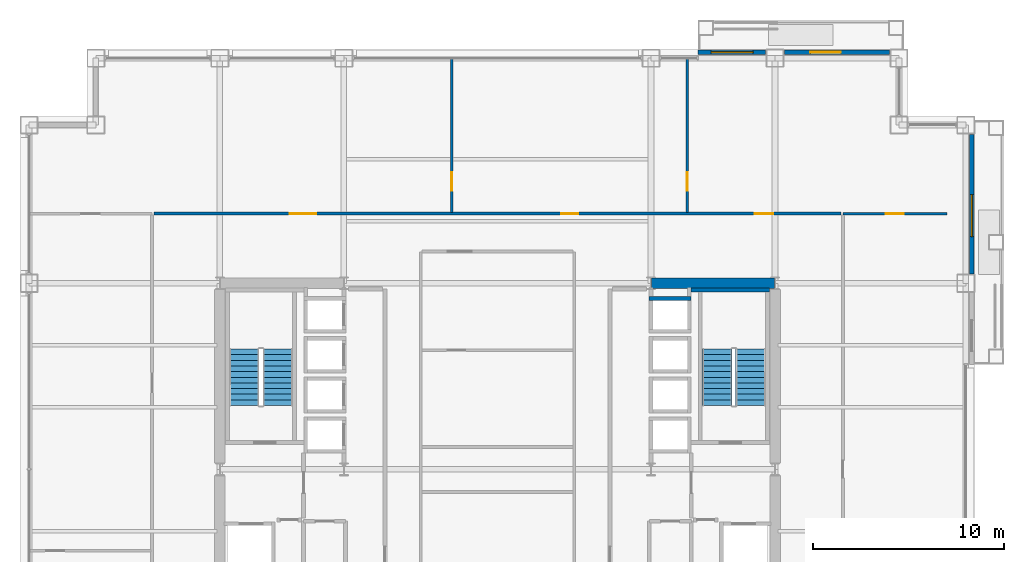
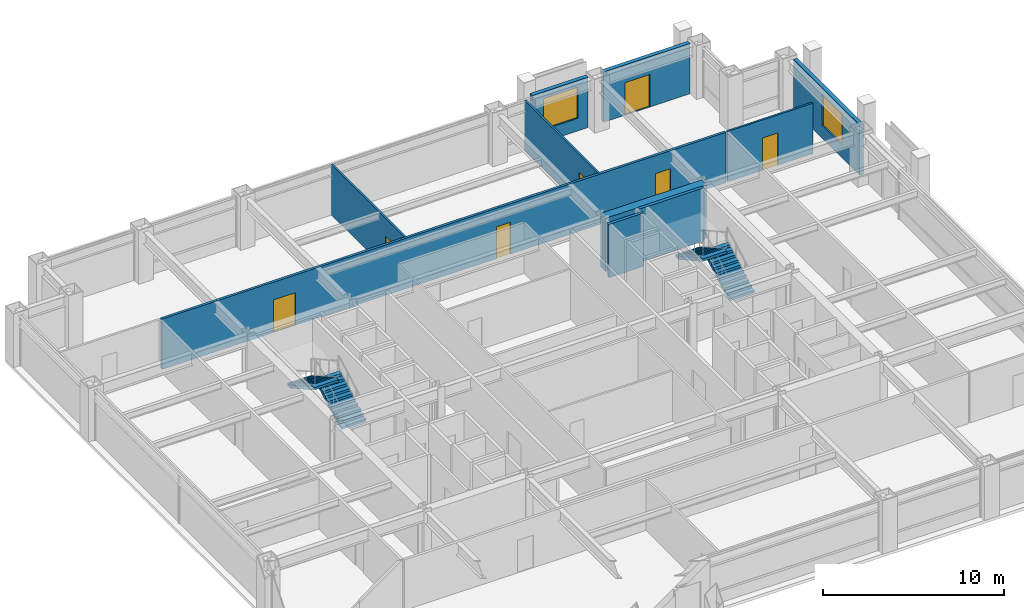
# One storey, part 28 of 31: 10 walls, 7 doors, 4 stair flights, 2 windows, 9 openings, 2 elements without a shape of their own.
"""IFC4 building model written with IfcOpenShell, lengths in metres."""

from ifc_helpers import new_model, si_unit, direction, frame, frame_2d, origin, place, context, subcontext, project, spatial, polyline, rectangle, outline, extrude, material, layer, layer_set, type_object, element, fill, aggregate, save


model = new_model("IFC4")

# Units and contexts
model_context = context("Model", 3, precision=1e-05, world=origin(), true_north=direction((0.0, 1.0)))
body_context = subcontext(model_context, "Body", "Model", "MODEL_VIEW")
ifc_project = project(units=[si_unit("LENGTHUNIT", "METRE"), si_unit("AREAUNIT", "SQUARE_METRE"), si_unit("VOLUMEUNIT", "CUBIC_METRE"), si_unit("PLANEANGLEUNIT", "RADIAN"), si_unit("MASSUNIT", "GRAM", prefix="KILO")], contexts=[model_context])

# Site, building, storey
site_placement = place(None, origin())
site = spatial("IfcSite", under=ifc_project, at=site_placement, CompositionType="ELEMENT")
building_placement = place(site_placement, origin())
building = spatial("IfcBuilding", under=site, at=building_placement, Name="Brelmoor Portico Tower", CompositionType="ELEMENT")
storey_placement = place(building_placement, frame((0.0, 0.0, 38.39990234375)))
storey = spatial("IfcBuildingStorey", under=building, at=storey_placement, Name="L09", CompositionType="ELEMENT", Elevation=38.39990234375)

# Wall
ifc_material_1 = material(Name="Concrete C60", Category="concrete")
ifc_layer_1 = layer(ifc_material_1, 0.550048828125)
ifc_layer_set_1 = layer_set([ifc_layer_1], Name="Concrete C60")
wall_type_1 = type_object("IfcWallType", Name="WL-CORE-550", PredefinedType="SHEAR", material=ifc_layer_set_1)
wall_1_placement = place(storey_placement, frame((8.070068359375, 9.75, -0.199951171875), z_axis=(0.0, 0.0, 1.0), x_axis=(1.0, 0.0, 0.0)))
element("IfcWall", 1, at=wall_1_placement, inside=storey, type_object=wall_type_1, Name="L09 EC North Shear Wall", PredefinedType="SHEAR", context=body_context, shape_type="SweptSolid", body=[
    extrude(rectangle(XDim=6.4599609375, YDim=0.550048828125, at=frame_2d((3.22998046875, 0.0))), origin(), (0.0, 0.0, 1.0), 3.60009765625),
])

# Wall, opening, window
ifc_material_2 = material(Name="Precast Concrete C40 Insulated Facade Wall", Category="concrete")
ifc_layer_2 = layer(ifc_material_2, 0.25)
ifc_layer_set_2 = layer_set([ifc_layer_2], Name="Precast Concrete C40 Insulated Facade Wall")
wall_type_2 = type_object("IfcWallType", Name="WL-EXT-250", PredefinedType="STANDARD", material=ifc_layer_set_2)
wall_2_placement = place(storey_placement, frame((10.5, 21.860107421875, 0.0), z_axis=(0.0, 0.0, 1.0), x_axis=(1.0, 0.0, 0.0)))
wall_2 = element("IfcWall", 2, at=wall_2_placement, inside=storey, type_object=wall_type_2, Name="L09 Loggia Threshold Wall N-1", PredefinedType="STANDARD", context=body_context, shape_type="SweptSolid", body=[
    extrude(rectangle(XDim=3.554931640625, YDim=0.25, at=frame_2d((1.77734375, 0.0))), origin(), (0.0, 0.0, 1.0), 3.400146484375),
])
opening_1_placement = place(wall_2_placement, frame((0.699951171875, 0.0, 0.85009765625)))
opening_1 = element("IfcOpeningElement", 3, at=opening_1_placement, cuts=wall_2, Name="Opening W-03B", PredefinedType="OPENING", context=body_context, shape_type="SweptSolid", body=[
    extrude(rectangle(XDim=2.199951171875, YDim=2.10009765625, at=frame_2d((1.10009765625, 1.050048828125))), frame((0.0, 0.135009765625, 0.0), z_axis=(0.0, -1.0, 0.0), x_axis=(1.0, 0.0, 0.0)), (0.0, 0.0, 1.0), 0.27001953125),
])
ifc_material_3 = material(Name="Thermally Broken Aluminium Low-E Window", Category="aluminium")
window_type = type_object("IfcWindowType", Name="WN-LOGGIA-2200x2100", PartitioningType="SINGLE_PANEL", PredefinedType="WINDOW", material=ifc_material_3)
window_1_placement = place(opening_1_placement, origin())
window_1 = element("IfcWindow", 4, at=window_1_placement, inside=storey, type_object=window_type, Name="L09 Loggia Window N", OverallHeight=2.10009765625, OverallWidth=2.199951171875, PartitioningType="SINGLE_PANEL", PredefinedType="WINDOW", context=body_context, shape_type="SweptSolid", body=[
    extrude(rectangle(XDim=2.199951171875, YDim=2.10009765625, at=frame_2d((1.10009765625, 1.050048828125))), frame((0.0, 0.030029296875, 0.0), z_axis=(0.0, -1.0, 0.0), x_axis=(1.0, 0.0, 0.0)), (0.0, 0.0, 1.0), 0.06005859375),
])
fill(opening_1, window_1)

# Wall, opening, door
wall_3_placement = place(storey_placement, frame((15.044921875, 21.860107421875, 0.0), z_axis=(0.0, 0.0, 1.0), x_axis=(1.0, 0.0, 0.0)))
wall_3 = element("IfcWall", 5, at=wall_3_placement, inside=storey, type_object=wall_type_2, Name="L09 Loggia Threshold Wall N-2", PredefinedType="STANDARD", context=body_context, shape_type="SweptSolid", body=[
    extrude(rectangle(XDim=5.510009765625, YDim=0.25, at=frame_2d((2.7548828125, 0.0))), origin(), (0.0, 0.0, 1.0), 3.400146484375),
])
opening_2_placement = place(wall_3_placement, frame((1.35498046875, 0.0, 0.0)))
opening_2 = element("IfcOpeningElement", 6, at=opening_2_placement, cuts=wall_3, Name="Opening D-TB1", PredefinedType="OPENING", context=body_context, shape_type="SweptSolid", body=[
    extrude(rectangle(XDim=1.60009765625, YDim=2.199951171875, at=frame_2d((0.800048828125, 1.10009765625))), frame((0.0, 0.135009765625, 0.0), z_axis=(0.0, -1.0, 0.0), x_axis=(1.0, 0.0, 0.0)), (0.0, 0.0, 1.0), 0.27001953125),
])
ifc_material_4 = material(Name="Double-Leaf Thermally Broken Terrace Door", Category="aluminium")
door_type_1 = type_object("IfcDoorType", Name="DR-BALCONY-1600", OperationType="NOTDEFINED", PredefinedType="DOOR", material=ifc_material_4)
door_1_placement = place(opening_2_placement, origin())
door_1 = element("IfcDoor", 7, at=door_1_placement, inside=storey, type_object=door_type_1, Name="D-0422 L09 Tree Balcony Double Door N", OperationType="DOUBLE_DOOR_SINGLE_SWING", OverallHeight=2.199951171875, OverallWidth=1.60009765625, PredefinedType="DOOR", context=body_context, shape_type="SweptSolid", body=[
    extrude(rectangle(XDim=1.60009765625, YDim=2.199951171875, at=frame_2d((0.800048828125, 1.10009765625))), frame((0.0, 0.02490234375, 0.0), z_axis=(0.0, -1.0, 0.0), x_axis=(1.0, 0.0, 0.0)), (0.0, 0.0, 1.0), 0.050048828125),
])
fill(opening_2, door_1)

# Wall, opening, window
wall_4_placement = place(storey_placement, frame((24.860107421875, 10.2451171875, 0.0), z_axis=(0.0, 0.0, 1.0), x_axis=(0.0, 1.0, 0.0)))
wall_4 = element("IfcWall", 8, at=wall_4_placement, inside=storey, type_object=wall_type_2, Name="L09 Loggia Threshold Wall E-2", PredefinedType="STANDARD", context=body_context, shape_type="SweptSolid", body=[
    extrude(rectangle(XDim=7.309814453125, YDim=0.25, at=frame_2d((3.65478515625, 0.0))), origin(), (0.0, 0.0, 1.0), 3.400146484375),
])
opening_3_placement = place(wall_4_placement, frame((1.955078125, 0.0, 0.85009765625)))
opening_3 = element("IfcOpeningElement", 9, at=opening_3_placement, cuts=wall_4, Name="Opening W-03B", PredefinedType="OPENING", context=body_context, shape_type="SweptSolid", body=[
    extrude(rectangle(XDim=2.199951171875, YDim=2.10009765625, at=frame_2d((1.10009765625, 1.050048828125))), frame((0.0, 0.135009765625, 0.0), z_axis=(0.0, -1.0, 0.0), x_axis=(1.0, 0.0, 0.0)), (0.0, 0.0, 1.0), 0.27001953125),
])
window_2_placement = place(opening_3_placement, origin())
window_2 = element("IfcWindow", 10, at=window_2_placement, inside=storey, type_object=window_type, Name="L09 Loggia Window E", OverallHeight=2.10009765625, OverallWidth=2.199951171875, PartitioningType="SINGLE_PANEL", PredefinedType="WINDOW", context=body_context, shape_type="SweptSolid", body=[
    extrude(rectangle(XDim=2.199951171875, YDim=2.10009765625, at=frame_2d((1.10009765625, 1.050048828125))), frame((0.0, 0.030029296875, 0.0), z_axis=(0.0, -1.0, 0.0), x_axis=(1.0, 0.0, 0.0)), (0.0, 0.0, 1.0), 0.06005859375),
])
fill(opening_3, window_2)

# Wall, opening, door
ifc_material_5 = material(Name="Lightweight Gypsum Office Partition", Category="gypsum")
ifc_layer_3 = layer(ifc_material_5, 0.1201171875)
ifc_layer_set_3 = layer_set([ifc_layer_3], Name="Lightweight Gypsum Office Partition")
wall_type_3 = type_object("IfcWallType", Name="WL-PART-120", PredefinedType="PARTITIONING", material=ifc_layer_set_3)
wall_5_placement = place(storey_placement, frame((-2.38916015625, 13.4599609375, 0.0), z_axis=(0.0, 0.0, 1.0), x_axis=(0.0, 1.0, 0.0)))
wall_5 = element("IfcWall", 11, at=wall_5_placement, inside=storey, type_object=wall_type_3, Name="L09 North Suite Partition 1", PredefinedType="PARTITIONING", context=body_context, shape_type="SweptSolid", body=[
    extrude(rectangle(XDim=8.10009765625, YDim=0.1201171875, at=frame_2d((4.050048828125, 0.0))), origin(), (0.0, 0.0, 1.0), 3.400146484375),
])
opening_4_placement = place(wall_5_placement, frame((1.14990234375, 0.0, 0.0)))
opening_4 = element("IfcOpeningElement", 12, at=opening_4_placement, cuts=wall_5, Name="Opening D-IN2", PredefinedType="OPENING", context=body_context, shape_type="SweptSolid", body=[
    extrude(rectangle(XDim=0.9599609375, YDim=2.179931640625, at=frame_2d((0.47998046875, 1.08984375))), frame((0.0, 0.070068359375, 0.0), z_axis=(0.0, -1.0, 0.0), x_axis=(1.0, 0.0, 0.0)), (0.0, 0.0, 1.0), 0.14013671875),
])
ifc_material_6 = material(Name="Lacquered Timber Suite Door", Category="wood")
door_type_2 = type_object("IfcDoorType", Name="DR-INT-950", OperationType="NOTDEFINED", PredefinedType="DOOR", material=ifc_material_6)
door_2_placement = place(opening_4_placement, origin())
door_2 = element("IfcDoor", 13, at=door_2_placement, inside=storey, type_object=door_type_2, Name="D-0410 L09 North Suite Connecting Door 1", OperationType="SINGLE_SWING_RIGHT", OverallHeight=2.179931640625, OverallWidth=0.9599609375, PredefinedType="DOOR", context=body_context, shape_type="SweptSolid", body=[
    extrude(rectangle(XDim=0.9599609375, YDim=2.179931640625, at=frame_2d((0.47998046875, 1.08984375))), frame((0.0, 0.02490234375, 0.0), z_axis=(0.0, -1.0, 0.0), x_axis=(1.0, 0.0, 0.0)), (0.0, 0.0, 1.0), 0.050048828125),
])
fill(opening_4, door_2)

wall_6_placement = place(storey_placement, frame((9.955078125, 13.4599609375, 0.0), z_axis=(0.0, 0.0, 1.0), x_axis=(0.0, 1.0, 0.0)))
wall_6 = element("IfcWall", 14, at=wall_6_placement, inside=storey, type_object=wall_type_3, Name="L09 North Suite Partition 2", PredefinedType="PARTITIONING", context=body_context, shape_type="SweptSolid", body=[
    extrude(rectangle(XDim=8.10009765625, YDim=0.1201171875, at=frame_2d((4.050048828125, 0.0))), origin(), (0.0, 0.0, 1.0), 3.400146484375),
])
opening_5_placement = place(wall_6_placement, frame((1.14990234375, 0.0, 0.0)))
opening_5 = element("IfcOpeningElement", 15, at=opening_5_placement, cuts=wall_6, Name="Opening D-IN2", PredefinedType="OPENING", context=body_context, shape_type="SweptSolid", body=[
    extrude(rectangle(XDim=0.9599609375, YDim=2.179931640625, at=frame_2d((0.47998046875, 1.08984375))), frame((0.0, 0.070068359375, 0.0), z_axis=(0.0, -1.0, 0.0), x_axis=(1.0, 0.0, 0.0)), (0.0, 0.0, 1.0), 0.14013671875),
])
door_3_placement = place(opening_5_placement, origin())
door_3 = element("IfcDoor", 16, at=door_3_placement, inside=storey, type_object=door_type_2, Name="D-0411 L09 North Suite Connecting Door 2", OperationType="SINGLE_SWING_LEFT", OverallHeight=2.179931640625, OverallWidth=0.9599609375, PredefinedType="DOOR", context=body_context, shape_type="SweptSolid", body=[
    extrude(rectangle(XDim=0.9599609375, YDim=2.179931640625, at=frame_2d((0.47998046875, 1.08984375))), frame((0.0, 0.02490234375, 0.0), z_axis=(0.0, -1.0, 0.0), x_axis=(1.0, 0.0, 0.0)), (0.0, 0.0, 1.0), 0.050048828125),
])
fill(opening_5, door_3)

wall_7_placement = place(storey_placement, frame((18.10009765625, 13.39990234375, 0.0), z_axis=(0.0, 0.0, 1.0), x_axis=(1.0, 0.0, 0.0)))
wall_7 = element("IfcWall", 17, at=wall_7_placement, inside=storey, type_object=wall_type_3, Name="L09 North Outer Closure ER", PredefinedType="PARTITIONING", context=body_context, shape_type="SweptSolid", body=[
    extrude(rectangle(XDim=5.449951171875, YDim=0.1201171875, at=frame_2d((2.72509765625, 0.0))), origin(), (0.0, 0.0, 1.0), 3.400146484375),
])
opening_6_placement = place(wall_7_placement, frame((2.2451171875, 0.0, 0.0)))
opening_6 = element("IfcOpeningElement", 18, at=opening_6_placement, cuts=wall_7, Name="Opening D-IN2", PredefinedType="OPENING", context=body_context, shape_type="SweptSolid", body=[
    extrude(rectangle(XDim=0.9599609375, YDim=2.179931640625, at=frame_2d((0.47998046875, 1.08984375))), frame((0.0, 0.070068359375, 0.0), z_axis=(0.0, -1.0, 0.0), x_axis=(1.0, 0.0, 0.0)), (0.0, 0.0, 1.0), 0.14013671875),
])
door_4_placement = place(opening_6_placement, origin())
door_4 = element("IfcDoor", 19, at=door_4_placement, inside=storey, type_object=door_type_2, Name="D-0412 L09 ER North Corner Suite Door", OperationType="SINGLE_SWING_LEFT", OverallHeight=2.179931640625, OverallWidth=0.9599609375, PredefinedType="DOOR", context=body_context, shape_type="SweptSolid", body=[
    extrude(rectangle(XDim=0.9599609375, YDim=2.179931640625, at=frame_2d((0.47998046875, 1.08984375))), frame((0.0, 0.02490234375, 0.0), z_axis=(0.0, -1.0, 0.0), x_axis=(1.0, 0.0, 0.0)), (0.0, 0.0, 1.0), 0.050048828125),
])
fill(opening_6, door_4)

# Wall, openings, doors
ifc_material_7 = material(Name="Twin-Frame Acoustic Partition", Category="gypsum")
ifc_layer_4 = layer(ifc_material_7, 0.159912109375)
ifc_layer_set_4 = layer_set([ifc_layer_4], Name="Twin-Frame Acoustic Partition")
wall_type_4 = type_object("IfcWallType", Name="WL-PART-160", PredefinedType="PARTITIONING", material=ifc_layer_set_4)
wall_8_placement = place(storey_placement, frame((-18.0, 13.39990234375, 0.0), z_axis=(0.0, 0.0, 1.0), x_axis=(1.0, 0.0, 0.0)))
wall_8 = element("IfcWall", 20, at=wall_8_placement, inside=storey, type_object=wall_type_4, Name="L09 North Corridor Partition", PredefinedType="PARTITIONING", context=body_context, shape_type="SweptSolid", body=[
    extrude(rectangle(XDim=36.0, YDim=0.159912109375, at=frame_2d((18.0, 0.0))), origin(), (0.0, 0.0, 1.0), 3.400146484375),
])
opening_7_placement = place(wall_8_placement, frame((7.10546875, 0.0, 0.0)))
opening_7 = element("IfcOpeningElement", 21, at=opening_7_placement, cuts=wall_8, Name="Opening D-SU2", PredefinedType="OPENING", context=body_context, shape_type="SweptSolid", body=[
    extrude(rectangle(XDim=1.39990234375, YDim=2.199951171875, at=frame_2d((0.699951171875, 1.10009765625))), frame((0.0, 0.08984375, 0.0), z_axis=(0.0, -1.0, 0.0), x_axis=(1.0, 0.0, 0.0)), (0.0, 0.0, 1.0), 0.179931640625),
])
opening_8_placement = place(wall_8_placement, frame((21.3330078125, 0.0, 0.0)))
opening_8 = element("IfcOpeningElement", 22, at=opening_8_placement, cuts=wall_8, Name="Opening D-IN1", PredefinedType="OPENING", context=body_context, shape_type="SweptSolid", body=[
    extrude(rectangle(XDim=0.89990234375, YDim=2.14990234375, at=frame_2d((0.449951171875, 1.074951171875))), frame((0.0, 0.08984375, 0.0), z_axis=(0.0, -1.0, 0.0), x_axis=(1.0, 0.0, 0.0)), (0.0, 0.0, 1.0), 0.179931640625),
])
opening_9_placement = place(wall_8_placement, frame((31.49755859375, 0.0, 0.0)))
opening_9 = element("IfcOpeningElement", 23, at=opening_9_placement, cuts=wall_8, Name="Opening D-IN2", PredefinedType="OPENING", context=body_context, shape_type="SweptSolid", body=[
    extrude(rectangle(XDim=0.9599609375, YDim=2.179931640625, at=frame_2d((0.47998046875, 1.08984375))), frame((0.0, 0.08984375, 0.0), z_axis=(0.0, -1.0, 0.0), x_axis=(1.0, 0.0, 0.0)), (0.0, 0.0, 1.0), 0.179931640625),
])
door_type_3 = type_object("IfcDoorType", Name="DR-INT-900", OperationType="NOTDEFINED", PredefinedType="DOOR", material=ifc_material_6)
door_5_placement = place(opening_8_placement, origin())
door_5 = element("IfcDoor", 24, at=door_5_placement, inside=storey, type_object=door_type_3, Name="D-0408 L09 North Quiet Reading Study 2 Door", OperationType="SINGLE_SWING_RIGHT", OverallHeight=2.14990234375, OverallWidth=0.89990234375, PredefinedType="DOOR", context=body_context, shape_type="SweptSolid", body=[
    extrude(rectangle(XDim=0.89990234375, YDim=2.14990234375, at=frame_2d((0.449951171875, 1.074951171875))), frame((0.0, 0.02490234375, 0.0), z_axis=(0.0, -1.0, 0.0), x_axis=(1.0, 0.0, 0.0)), (0.0, 0.0, 1.0), 0.050048828125),
])
fill(opening_8, door_5)
door_6_placement = place(opening_9_placement, origin())
door_6 = element("IfcDoor", 25, at=door_6_placement, inside=storey, type_object=door_type_2, Name="D-0409 L09 North Open-Plan Office 3 Door", OperationType="SINGLE_SWING_LEFT", OverallHeight=2.179931640625, OverallWidth=0.9599609375, PredefinedType="DOOR", context=body_context, shape_type="SweptSolid", body=[
    extrude(rectangle(XDim=0.9599609375, YDim=2.179931640625, at=frame_2d((0.47998046875, 1.08984375))), frame((0.0, 0.02490234375, 0.0), z_axis=(0.0, -1.0, 0.0), x_axis=(1.0, 0.0, 0.0)), (0.0, 0.0, 1.0), 0.050048828125),
])
fill(opening_9, door_6)
ifc_material_8 = material(Name="Double-Leaf Acoustic Suite Door", Category="timber")
door_type_4 = type_object("IfcDoorType", Name="DR-SUITE-1400", OperationType="NOTDEFINED", PredefinedType="DOOR", material=ifc_material_8)
door_7_placement = place(opening_7_placement, origin())
door_7 = element("IfcDoor", 26, at=door_7_placement, inside=storey, type_object=door_type_4, Name="D-0407 L09 North Design Research Library 1 Door", OperationType="DOUBLE_DOOR_SINGLE_SWING", OverallHeight=2.199951171875, OverallWidth=1.39990234375, PredefinedType="DOOR", context=body_context, shape_type="SweptSolid", body=[
    extrude(rectangle(XDim=1.39990234375, YDim=2.199951171875, at=frame_2d((0.699951171875, 1.10009765625))), frame((0.0, 0.02490234375, 0.0), z_axis=(0.0, -1.0, 0.0), x_axis=(1.0, 0.0, 0.0)), (0.0, 0.0, 1.0), 0.050048828125),
])
fill(opening_7, door_7)

# Walls
ifc_material_9 = material(Name="Precast Concrete C40", Category="concrete")
ifc_layer_5 = layer(ifc_material_9, 0.18994140625)
ifc_layer_set_5 = layer_set([ifc_layer_5], Name="Precast Concrete C40")
wall_type_5 = type_object("IfcWallType", Name="WL-SHAFT-180", PredefinedType="SOLIDWALL", material=ifc_layer_set_5)
wall_9_placement = place(storey_placement, frame((7.949951171875, 8.955078125, -0.199951171875), z_axis=(0.0, 0.0, 1.0), x_axis=(1.0, 0.0, 0.0)))
element("IfcWall", 27, at=wall_9_placement, inside=storey, type_object=wall_type_5, Name="L09 Lift PM4 Hoistway North Wall", PredefinedType="SOLIDWALL", context=body_context, shape_type="SweptSolid", body=[
    extrude(rectangle(XDim=2.199951171875, YDim=0.18994140625, at=frame_2d((1.10009765625, 0.0))), origin(), (0.0, 0.0, 1.0), 3.60009765625),
])
ifc_material_10 = material(Name="Concrete C40", Category="concrete")
ifc_layer_6 = layer(ifc_material_10, 0.199951171875)
ifc_layer_set_6 = layer_set([ifc_layer_6], Name="Concrete C40")
wall_type_6 = type_object("IfcWallType", Name="WL-SHAFT-RC200", PredefinedType="SOLIDWALL", material=ifc_layer_set_6)
wall_10_placement = place(storey_placement, frame((10.14990234375, 9.39990234375, -0.199951171875), z_axis=(0.0, 0.0, 1.0), x_axis=(1.0, 0.0, 0.0)))
element("IfcWall", 28, at=wall_10_placement, inside=storey, type_object=wall_type_6, Name="L09 ST-E Structural Stair Wall N", PredefinedType="SOLIDWALL", context=body_context, shape_type="SweptSolid", body=[
    extrude(rectangle(XDim=4.10009765625, YDim=0.199951171875, at=frame_2d((2.050048828125, 0.0))), origin(), (0.0, 0.0, 1.0), 3.60009765625),
])

# Stair, stair flights
stair_type_1 = type_object("IfcStairType", Name="ST-CORE-W", PredefinedType="HALF_TURN_STAIR", material=ifc_material_10)
stair_1_placement = place(storey_placement, origin())
stair_1 = element("IfcStair", 29, at=stair_1_placement, inside=storey, type_object=stair_type_1, Name="L09 Protected Core Exit Stair ST-W", PredefinedType="HALF_TURN_STAIR")
stair_flight_type = type_object("IfcStairFlightType", Name="SF-CORE-1850", PredefinedType="STRAIGHT", material=ifc_material_10)
stair_flight_1_placement = place(storey_placement, frame((-11.510009765625, 3.35009765625, 0.0), z_axis=(0.0, 0.0, 1.0), x_axis=(0.0, 1.0, 0.0)))
stair_flight_1 = element("IfcStairFlight", 30, at=stair_flight_1_placement, type_object=stair_flight_type, Name="ST-W flight 1", NumberOfRisers=11, NumberOfTreads=10, PredefinedType="STRAIGHT", RiserHeight=0.163636364, TreadLength=0.295, context=body_context, shape_type="SweptSolid", body=[
    extrude(outline(polyline([(0.0, 0.0), (0.0, 0.16357421875), (0.294921875, 0.16357421875), (0.294921875, 0.327392578125), (0.590087890625, 0.327392578125), (0.590087890625, 0.490966796875), (0.885009765625, 0.490966796875), (0.885009765625, 0.654541015625), (1.179931640625, 0.654541015625), (1.179931640625, 0.818115234375), (1.47509765625, 0.818115234375), (1.47509765625, 0.98193359375), (1.77001953125, 0.98193359375), (1.77001953125, 1.1455078125), (2.06494140625, 1.1455078125), (2.06494140625, 1.30908203125), (2.360107421875, 1.30908203125), (2.360107421875, 1.47265625), (2.655029296875, 1.47265625), (2.655029296875, 1.636474609375), (2.949951171875, 1.636474609375), (2.949951171875, 1.800048828125), (2.949951171875, 1.46484375), (0.30908203125, 0.0), (0.0, 0.0)])), frame((0.0, 0.780029296875, 0.0), z_axis=(0.0, -1.0, 0.0), x_axis=(1.0, 0.0, 0.0)), (0.0, 0.0, 1.0), 1.56005859375),
])
stair_flight_2_placement = place(storey_placement, frame((-13.27001953125, 6.300048828125, 1.800048828125), z_axis=(0.0, 0.0, 1.0), x_axis=(0.0, -1.0, 0.0)))
stair_flight_2 = element("IfcStairFlight", 31, at=stair_flight_2_placement, type_object=stair_flight_type, Name="ST-W flight 2", NumberOfRisers=11, NumberOfTreads=10, PredefinedType="STRAIGHT", RiserHeight=0.163636364, TreadLength=0.295, context=body_context, shape_type="SweptSolid", body=[
    extrude(outline(polyline([(0.0, 0.0), (0.0, 0.16357421875), (0.294921875, 0.16357421875), (0.294921875, 0.327392578125), (0.590087890625, 0.327392578125), (0.590087890625, 0.490966796875), (0.885009765625, 0.490966796875), (0.885009765625, 0.654541015625), (1.179931640625, 0.654541015625), (1.179931640625, 0.818115234375), (1.47509765625, 0.818115234375), (1.47509765625, 0.98193359375), (1.77001953125, 0.98193359375), (1.77001953125, 1.1455078125), (2.06494140625, 1.1455078125), (2.06494140625, 1.30908203125), (2.360107421875, 1.30908203125), (2.360107421875, 1.47265625), (2.655029296875, 1.47265625), (2.655029296875, 1.636474609375), (2.949951171875, 1.636474609375), (2.949951171875, 1.800048828125), (2.949951171875, 1.46484375), (0.30908203125, 0.0), (0.0, 0.0)])), frame((0.0, 0.780029296875, 0.0), z_axis=(0.0, -1.0, 0.0), x_axis=(1.0, 0.0, 0.0)), (0.0, 0.0, 1.0), 1.56005859375),
])
aggregate(stair_1, [stair_flight_1, stair_flight_2])

stair_type_2 = type_object("IfcStairType", Name="ST-CORE-E", PredefinedType="HALF_TURN_STAIR", material=ifc_material_10)
stair_2_placement = place(storey_placement, origin())
stair_2 = element("IfcStair", 32, at=stair_2_placement, inside=storey, type_object=stair_type_2, Name="L09 Protected Core Exit Stair ST-E", PredefinedType="HALF_TURN_STAIR")
stair_flight_3_placement = place(storey_placement, frame((13.27001953125, 3.35009765625, 0.0), z_axis=(0.0, 0.0, 1.0), x_axis=(0.0, 1.0, 0.0)))
stair_flight_3 = element("IfcStairFlight", 33, at=stair_flight_3_placement, type_object=stair_flight_type, Name="ST-E flight 1", NumberOfRisers=11, NumberOfTreads=10, PredefinedType="STRAIGHT", RiserHeight=0.163636364, TreadLength=0.295, context=body_context, shape_type="SweptSolid", body=[
    extrude(outline(polyline([(0.0, 0.0), (0.0, 0.16357421875), (0.294921875, 0.16357421875), (0.294921875, 0.327392578125), (0.590087890625, 0.327392578125), (0.590087890625, 0.490966796875), (0.885009765625, 0.490966796875), (0.885009765625, 0.654541015625), (1.179931640625, 0.654541015625), (1.179931640625, 0.818115234375), (1.47509765625, 0.818115234375), (1.47509765625, 0.98193359375), (1.77001953125, 0.98193359375), (1.77001953125, 1.1455078125), (2.06494140625, 1.1455078125), (2.06494140625, 1.30908203125), (2.360107421875, 1.30908203125), (2.360107421875, 1.47265625), (2.655029296875, 1.47265625), (2.655029296875, 1.636474609375), (2.949951171875, 1.636474609375), (2.949951171875, 1.800048828125), (2.949951171875, 1.46484375), (0.30908203125, 0.0), (0.0, 0.0)])), frame((0.0, 0.780029296875, 0.0), z_axis=(0.0, -1.0, 0.0), x_axis=(1.0, 0.0, 0.0)), (0.0, 0.0, 1.0), 1.56005859375),
])
stair_flight_4_placement = place(storey_placement, frame((11.510009765625, 6.300048828125, 1.800048828125), z_axis=(0.0, 0.0, 1.0), x_axis=(0.0, -1.0, 0.0)))
stair_flight_4 = element("IfcStairFlight", 34, at=stair_flight_4_placement, type_object=stair_flight_type, Name="ST-E flight 2", NumberOfRisers=11, NumberOfTreads=10, PredefinedType="STRAIGHT", RiserHeight=0.163636364, TreadLength=0.295, context=body_context, shape_type="SweptSolid", body=[
    extrude(outline(polyline([(0.0, 0.0), (0.0, 0.16357421875), (0.294921875, 0.16357421875), (0.294921875, 0.327392578125), (0.590087890625, 0.327392578125), (0.590087890625, 0.490966796875), (0.885009765625, 0.490966796875), (0.885009765625, 0.654541015625), (1.179931640625, 0.654541015625), (1.179931640625, 0.818115234375), (1.47509765625, 0.818115234375), (1.47509765625, 0.98193359375), (1.77001953125, 0.98193359375), (1.77001953125, 1.1455078125), (2.06494140625, 1.1455078125), (2.06494140625, 1.30908203125), (2.360107421875, 1.30908203125), (2.360107421875, 1.47265625), (2.655029296875, 1.47265625), (2.655029296875, 1.636474609375), (2.949951171875, 1.636474609375), (2.949951171875, 1.800048828125), (2.949951171875, 1.46484375), (0.30908203125, 0.0), (0.0, 0.0)])), frame((0.0, 0.780029296875, 0.0), z_axis=(0.0, -1.0, 0.0), x_axis=(1.0, 0.0, 0.0)), (0.0, 0.0, 1.0), 1.56005859375),
])
aggregate(stair_2, [stair_flight_3, stair_flight_4])

save(model, "model.ifc")
